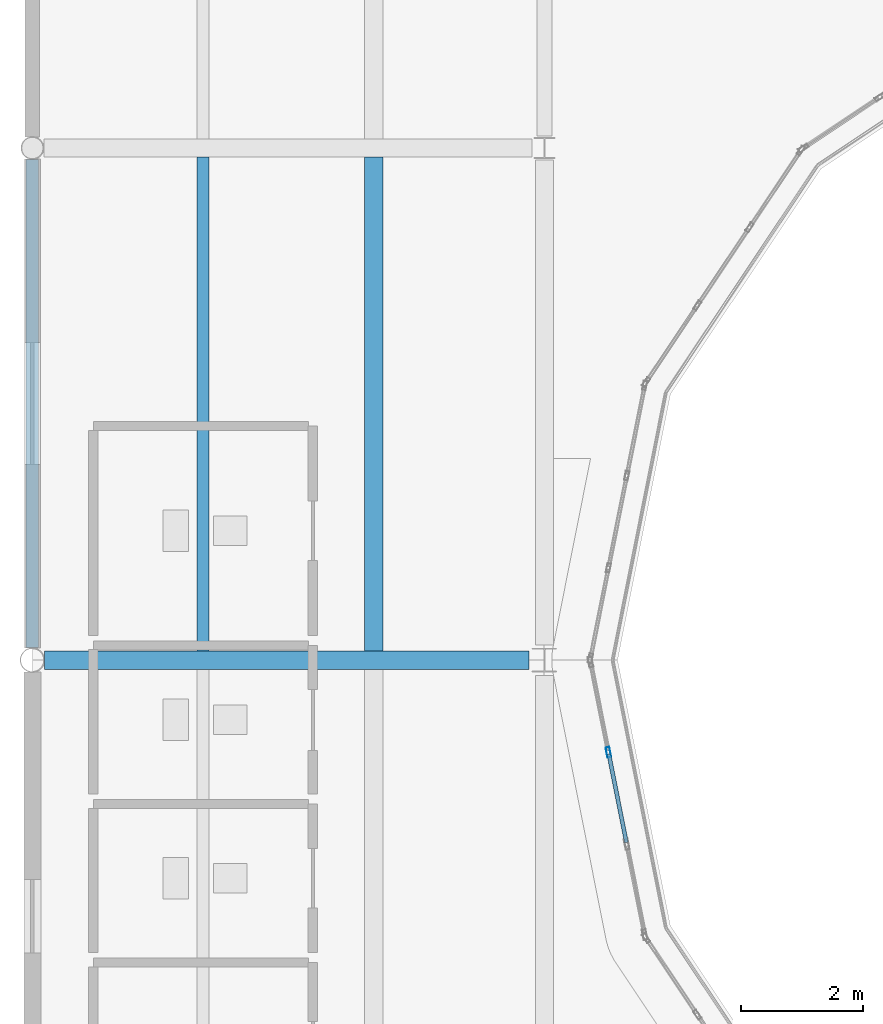
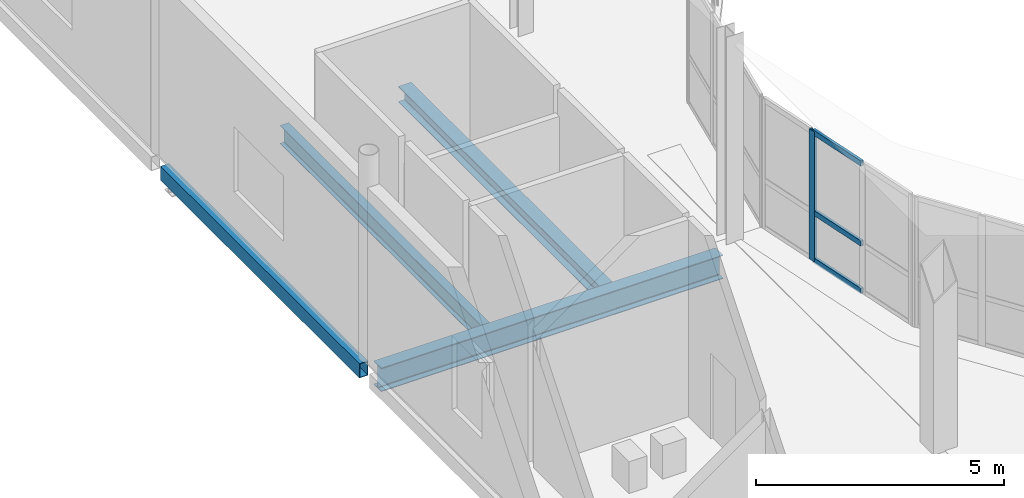
# One storey, part 16 of 103: 4 beams, 4 members, 1 element without a shape of its own.
"""IFC4 building model written with IfcOpenShell, lengths in metres."""

from ifc_helpers import new_model, si_unit, direction, frame, origin, origin_2d, place, context, subcontext, project, spatial, hollow_rectangle, i_section, extrude, material, layer, layer_set, material_profile, profile_set, type_object, element, aggregate, save


model = new_model("IFC4")

# Units and contexts
model_context = context("Model", 3, precision=1e-05, world=origin(), true_north=direction((0.0, 1.0)))
body_context = subcontext(model_context, "Body", "Model", "MODEL_VIEW")
ifc_project = project(units=[si_unit("LENGTHUNIT", "METRE"), si_unit("AREAUNIT", "SQUARE_METRE"), si_unit("VOLUMEUNIT", "CUBIC_METRE"), si_unit("PLANEANGLEUNIT", "RADIAN"), si_unit("MASSUNIT", "GRAM", prefix="KILO"), si_unit("THERMODYNAMICTEMPERATUREUNIT", "KELVIN")], contexts=[model_context])

# Site, building, storey
site_placement = place(None, origin())
site = spatial("IfcSite", under=ifc_project, at=site_placement, CompositionType="ELEMENT")
building_placement = place(site_placement, origin())
building = spatial("IfcBuilding", under=site, at=building_placement, Name="Lustrewick Department Store", CompositionType="ELEMENT")
storey_placement = place(building_placement, frame((0.0, 0.0, 16.5)))
storey = spatial("IfcBuildingStorey", under=building, at=storey_placement, Name="L04", CompositionType="ELEMENT", Elevation=16.5)

# Beams
ifc_material_1 = material(Name="Structural steel Q355B", Category="steel")
ifc_material_profile_1 = material_profile(ifc_material_1, i_section(OverallWidth=0.199951171875, OverallDepth=0.449951171875, WebThickness=0.009033203125, FlangeThickness=0.013916015625, FilletRadius=0.01611328125, at=origin_2d()), Name="HN 450x200x9x14")
ifc_profile_set_1 = profile_set([ifc_material_profile_1], Name="Structural steel Q355B")
beam_type_1 = type_object("IfcBeamType", Name="B03", PredefinedType="JOIST", material=ifc_profile_set_1)
beam_1_placement = place(storey_placement, frame((11.199951171875, 67.35009765625, -0.47998046875), z_axis=(0.0, 1.0, 0.0), x_axis=(-1.0, 0.0, 0.0)))
element("IfcBeam", 1, at=beam_1_placement, inside=storey, type_object=beam_type_1, Name="L04 V1 Secondary Joist B03", PredefinedType="JOIST", context=body_context, shape_type="SweptSolid", body=[
    extrude(i_section(OverallWidth=0.199951171875, OverallDepth=0.449951171875, WebThickness=0.009033203125, FlangeThickness=0.013916015625, FilletRadius=0.01611328125, at=origin_2d()), origin(), (0.0, 0.0, 1.0), 8.100341796875),
])
ifc_material_profile_2 = material_profile(ifc_material_1, i_section(OverallWidth=0.300048828125, OverallDepth=0.389892578125, WebThickness=0.010009765625, FlangeThickness=0.01611328125, FilletRadius=0.01806640625, at=origin_2d()), Name="HM 390x300x10x16")
ifc_profile_set_2 = profile_set([ifc_material_profile_2], Name="Structural steel Q355B")
beam_type_2 = type_object("IfcBeamType", Name="B07", PredefinedType="JOIST", material=ifc_profile_set_2)
beam_2_placement = place(storey_placement, frame((14.0, 67.35009765625, -0.449951171875), z_axis=(0.0, 1.0, 0.0), x_axis=(-1.0, 0.0, 0.0)))
element("IfcBeam", 2, at=beam_2_placement, inside=storey, type_object=beam_type_2, Name="L04 V1 Secondary Joist B07", PredefinedType="JOIST", context=body_context, shape_type="SweptSolid", body=[
    extrude(i_section(OverallWidth=0.300048828125, OverallDepth=0.389892578125, WebThickness=0.010009765625, FlangeThickness=0.01611328125, FilletRadius=0.01806640625, at=origin_2d()), origin(), (0.0, 0.0, 1.0), 8.100341796875),
])

# Curtain wall, members
ifc_material_2 = material(Name="Thermally broken aluminium 6063-T5", Category="aluminium")
ifc_layer = layer(ifc_material_2, 0.169921875, Name="Thermally broken aluminium 6063-T5")
ifc_layer_set = layer_set([ifc_layer], Name="Thermally broken aluminium 6063-T5")
curtain_wall_type = type_object("IfcCurtainWallType", Name="CW16", PredefinedType="NOTDEFINED", material=ifc_layer_set)
curtain_wall_placement = place(storey_placement, origin())
curtain_wall = element("IfcCurtainWall", 3, at=curtain_wall_placement, inside=storey, type_object=curtain_wall_type, Name="L04 Atrium Glazed Screen CW16", PredefinedType="NOTDEFINED")
ifc_material_profile_3 = material_profile(ifc_material_2, hollow_rectangle(XDim=0.06494140625, YDim=0.169921875, WallThickness=0.00390625, at=origin_2d()), Name="ALU-M 65x170x4")
ifc_profile_set_3 = profile_set([ifc_material_profile_3], Name="Thermally broken aluminium 6063-T5")
member_type_1 = type_object("IfcMemberType", Name="CW16-M1", PredefinedType="MULLION", material=ifc_profile_set_3)
member_1_placement = place(storey_placement, frame((17.8505859375, 65.6884765625, 0.0), z_axis=(0.0, 0.0, 1.0), x_axis=(0.980786430993, 0.195084537521, 0.0)))
member_1 = element("IfcMember", 4, at=member_1_placement, type_object=member_type_1, Name="CW16 mullion 2", PredefinedType="MULLION", context=body_context, shape_type="SweptSolid", body=[
    extrude(hollow_rectangle(XDim=0.06494140625, YDim=0.169921875, WallThickness=0.00390625, at=origin_2d()), origin(), (0.0, 0.0, 1.0), 3.199951171875),
])
ifc_material_profile_4 = material_profile(ifc_material_2, hollow_rectangle(XDim=0.06494140625, YDim=0.1298828125, WallThickness=0.00341796875, at=origin_2d()), Name="ALU-T 65x130x3.5")
ifc_profile_set_4 = profile_set([ifc_material_profile_4], Name="Thermally broken aluminium 6063-T5")
member_type_2 = type_object("IfcMemberType", Name="CW16-T1", PredefinedType="USERDEFINED", material=ifc_profile_set_4)
member_2_placement = place(storey_placement, frame((17.85693359375, 65.656494140625, 0.032470703125), z_axis=(0.195161861091, -0.980771047684, 0.0), x_axis=(0.980771047684, 0.195161861091, 0.0)))
member_2 = element("IfcMember", 5, at=member_2_placement, type_object=member_type_2, Name="CW16 transom 2.1", ObjectType="TRANSOM", PredefinedType="USERDEFINED", context=body_context, shape_type="SweptSolid", body=[
    extrude(hollow_rectangle(XDim=0.06494140625, YDim=0.1298828125, WallThickness=0.00341796875, at=origin_2d()), origin(), (0.0, 0.0, 1.0), 1.47607421875),
])
member_3_placement = place(storey_placement, frame((17.85693359375, 65.656494140625, 1.199951171875), z_axis=(0.195161861091, -0.980771047684, 0.0), x_axis=(0.980771047684, 0.195161861091, 0.0)))
member_3 = element("IfcMember", 6, at=member_3_placement, type_object=member_type_2, Name="CW16 transom 2.2", ObjectType="TRANSOM", PredefinedType="USERDEFINED", context=body_context, shape_type="SweptSolid", body=[
    extrude(hollow_rectangle(XDim=0.06494140625, YDim=0.1298828125, WallThickness=0.00341796875, at=origin_2d()), origin(), (0.0, 0.0, 1.0), 1.47607421875),
])
member_4_placement = place(storey_placement, frame((17.85693359375, 65.656494140625, 3.16748046875), z_axis=(0.195161861091, -0.980771047684, 0.0), x_axis=(0.980771047684, 0.195161861091, 0.0)))
member_4 = element("IfcMember", 7, at=member_4_placement, type_object=member_type_2, Name="CW16 transom 2.3", ObjectType="TRANSOM", PredefinedType="USERDEFINED", context=body_context, shape_type="SweptSolid", body=[
    extrude(hollow_rectangle(XDim=0.06494140625, YDim=0.1298828125, WallThickness=0.00341796875, at=origin_2d()), origin(), (0.0, 0.0, 1.0), 1.47607421875),
])
aggregate(curtain_wall, [member_1, member_2, member_3, member_4])

# Beams
ifc_material_profile_5 = material_profile(ifc_material_1, i_section(OverallWidth=0.300048828125, OverallDepth=0.58203125, WebThickness=0.011962890625, FlangeThickness=0.01708984375, FilletRadius=0.02392578125, at=origin_2d()), Name="HM 582x300x12x17")
ifc_profile_set_5 = profile_set([ifc_material_profile_5], Name="Structural steel Q355B")
beam_type_3 = type_object("IfcBeamType", Name="G12", PredefinedType="BEAM", material=ifc_profile_set_5)
beam_3_placement = place(storey_placement, frame((8.60302734375, 67.199951171875, -0.5458984375), z_axis=(1.0, 0.0, 0.0), x_axis=(0.0, 1.0, 0.0)))
element("IfcBeam", 8, at=beam_3_placement, inside=storey, type_object=beam_type_3, Name="L04 V1 Girder G12", PredefinedType="BEAM", context=body_context, shape_type="SweptSolid", body=[
    extrude(i_section(OverallWidth=0.300048828125, OverallDepth=0.58203125, WebThickness=0.011962890625, FlangeThickness=0.01708984375, FilletRadius=0.02392578125, at=origin_2d()), origin(), (0.0, 0.0, 1.0), 7.947021484375),
])
ifc_material_3 = material(Name="Structural steel Q355C", Category="steel")
ifc_material_profile_6 = material_profile(ifc_material_3, hollow_rectangle(XDim=0.199951171875, YDim=0.35009765625, WallThickness=0.011962890625, at=origin_2d()), Name="RHS 350x200x12")
ifc_profile_set_6 = profile_set([ifc_material_profile_6], Name="Structural steel Q355C")
beam_type_4 = type_object("IfcBeamType", Name="SP03", PredefinedType="SPANDREL", material=ifc_profile_set_6)
beam_4_placement = place(storey_placement, frame((8.39990234375, 67.403076171875, -0.429931640625), z_axis=(0.0, 1.0, 0.0), x_axis=(-1.0, 0.0, 0.0)))
element("IfcBeam", 9, at=beam_4_placement, inside=storey, type_object=beam_type_4, Name="L04 V1 Girder SP03", PredefinedType="SPANDREL", context=body_context, shape_type="SweptSolid", body=[
    extrude(hollow_rectangle(XDim=0.199951171875, YDim=0.35009765625, WallThickness=0.011962890625, at=origin_2d()), origin(), (0.0, 0.0, 1.0), 8.008544921875),
])

save(model, "model.ifc")
